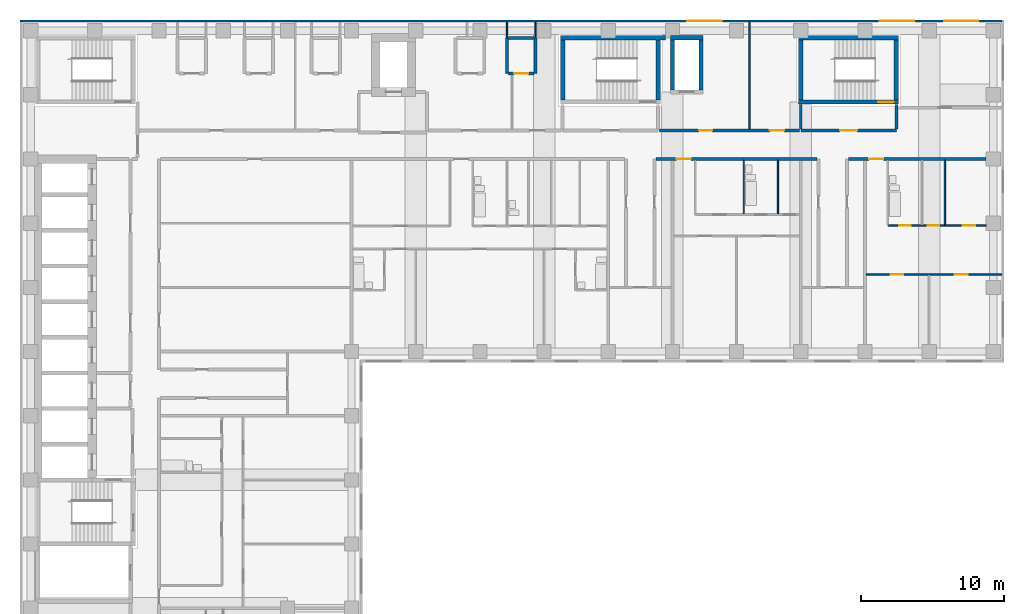
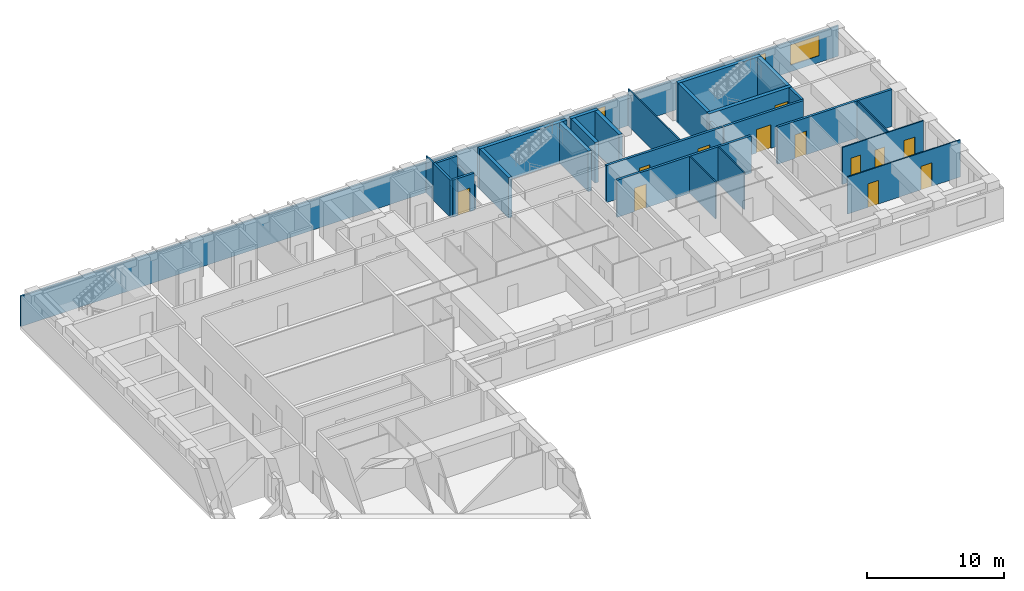
# One storey, part 8 of 12: 29 walls, 12 doors, 3 windows, 15 openings.
"""IFC4 building model written with IfcOpenShell, lengths in metres."""

from ifc_helpers import new_model, si_unit, direction, frame, frame_2d, origin, place, context, subcontext, project, spatial, rectangle, extrude, material, layer, layer_set, type_object, element, fill, save


model = new_model("IFC4")

# Units and contexts
model_context = context("Model", 3, precision=1e-05, world=origin(), true_north=direction((0.0, 1.0)))
body_context = subcontext(model_context, "Body", "Model", "MODEL_VIEW")
ifc_project = project(units=[si_unit("LENGTHUNIT", "METRE"), si_unit("AREAUNIT", "SQUARE_METRE"), si_unit("VOLUMEUNIT", "CUBIC_METRE"), si_unit("PLANEANGLEUNIT", "RADIAN"), si_unit("MASSUNIT", "GRAM", prefix="KILO")], contexts=[model_context])

# Site, building, storey
site_placement = place(None, origin())
site = spatial("IfcSite", under=ifc_project, at=site_placement, CompositionType="ELEMENT")
building_placement = place(site_placement, origin())
building = spatial("IfcBuilding", under=site, at=building_placement, Name="Firuza Court", CompositionType="ELEMENT")
storey_placement = place(building_placement, frame((0.0, 0.0, 166.39990234375)))
storey = spatial("IfcBuildingStorey", under=building, at=storey_placement, Name="L42", CompositionType="ELEMENT", Elevation=166.39990234375)

# Walls
ifc_material_1 = material(Name="Moisture-resistant gypsum board partition")
ifc_layer_1 = layer(ifc_material_1, 0.10009765625)
ifc_layer_set_1 = layer_set([ifc_layer_1], Name="Moisture-resistant gypsum board partition")
wall_type_1 = type_object("IfcWallType", Name="Bathroom partition 100", PredefinedType="PLUMBINGWALL", material=ifc_layer_set_1)
for number, where, z_axis, x_axis, name in (
    (1, (50.0, 45.64990234375, 0.0), (0.0, 0.0, 1.0), (0.0, 1.0, 0.0), "Bathroom partition 100 L42"),
    (2, (52.39990234375, 45.64990234375, 0.0), (0.0, 0.0, 1.0), (0.0, 1.0, 0.0), "Bathroom partition 100 L42"),
):
    element("IfcWall", number, at=place(storey_placement, frame(where, z_axis=z_axis, x_axis=x_axis)), inside=storey, type_object=wall_type_1, Name=name, PredefinedType="PLUMBINGWALL", context=body_context, shape_type="SweptSolid", body=[
        extrude(rectangle(XDim=3.75, YDim=0.10009765625, at=frame_2d((1.875, 0.0))), origin(), (0.0, 0.0, 1.0), 3.300048828125),
    ])
ifc_material_2 = material(Name="Concrete C60/75", Category="concrete")
ifc_layer_2 = layer(ifc_material_2, 0.300048828125)
ifc_layer_set_2 = layer_set([ifc_layer_2], Name="Concrete C60/75")
wall_type_2 = type_object("IfcWallType", Name="Core wall 300 C60/75", PredefinedType="SHEAR", material=ifc_layer_set_2)
wall_1_placement = place(storey_placement, frame((37.14990234375, 58.0, -0.2998046875), z_axis=(0.0, 0.0, 1.0), x_axis=(1.0, 0.0, 0.0)))
element("IfcWall", 3, at=wall_1_placement, inside=storey, type_object=wall_type_2, Name="Core wall stair L42", PredefinedType="SHEAR", context=body_context, shape_type="SweptSolid", body=[
    extrude(rectangle(XDim=7.35009765625, YDim=0.300048828125, at=frame_2d((3.675048828125, 0.0))), origin(), (0.0, 0.0, 1.0), 3.599853515625),
])
for number, where, z_axis, x_axis, name in (
    (4, (37.300048828125, 53.64990234375, -0.2998046875), (0.0, 0.0, 1.0), (0.0, 1.0, 0.0), "Core wall stair L42"),
    (5, (44.0, 53.64990234375, -0.2998046875), (0.0, 0.0, 1.0), (0.0, 1.0, 0.0), "Core wall stair L42"),
):
    element("IfcWall", number, at=place(storey_placement, frame(where, z_axis=z_axis, x_axis=x_axis)), inside=storey, type_object=wall_type_2, Name=name, PredefinedType="SHEAR", context=body_context, shape_type="SweptSolid", body=[
        extrude(rectangle(XDim=4.2001953125, YDim=0.300048828125, at=frame_2d((2.10009765625, 0.0))), origin(), (0.0, 0.0, 1.0), 3.599853515625),
    ])
wall_2_placement = place(storey_placement, frame((44.85009765625, 58.0, -0.2998046875), z_axis=(0.0, 0.0, 1.0), x_axis=(1.0, 0.0, 0.0)))
element("IfcWall", 6, at=wall_2_placement, inside=storey, type_object=wall_type_2, Name="Core wall riser L42", PredefinedType="SHEAR", context=body_context, shape_type="SweptSolid", body=[
    extrude(rectangle(XDim=2.2998046875, YDim=0.300048828125, at=frame_2d((1.14990234375, 0.0))), origin(), (0.0, 0.0, 1.0), 3.599853515625),
])
for number, where, z_axis, x_axis, name in (
    (7, (45.0, 54.35009765625, -0.2998046875), (0.0, 0.0, 1.0), (0.0, 1.0, 0.0), "Core wall riser L42"),
    (8, (47.0, 54.35009765625, -0.2998046875), (0.0, 0.0, 1.0), (0.0, 1.0, 0.0), "Core wall riser L42"),
):
    element("IfcWall", number, at=place(storey_placement, frame(where, z_axis=z_axis, x_axis=x_axis)), inside=storey, type_object=wall_type_2, Name=name, PredefinedType="SHEAR", context=body_context, shape_type="SweptSolid", body=[
        extrude(rectangle(XDim=3.5, YDim=0.300048828125, at=frame_2d((1.75, 0.0))), origin(), (0.0, 0.0, 1.0), 3.599853515625),
    ])

# Wall, opening, door
wall_3_placement = place(storey_placement, frame((53.85009765625, 53.5, -0.2998046875), z_axis=(0.0, 0.0, 1.0), x_axis=(1.0, 0.0, 0.0)))
wall_3 = element("IfcWall", 9, at=wall_3_placement, inside=storey, type_object=wall_type_2, Name="Core wall stair L42", PredefinedType="SHEAR", context=body_context, shape_type="SweptSolid", body=[
    extrude(rectangle(XDim=7.0, YDim=0.300048828125, at=frame_2d((3.5, 0.0))), origin(), (0.0, 0.0, 1.0), 3.599853515625),
])
opening_1_placement = place(wall_3_placement, frame((5.580078125, 0.0, 0.300048828125)))
opening_1 = element("IfcOpeningElement", 10, at=opening_1_placement, cuts=wall_3, Name="Opening D42016", PredefinedType="OPENING", context=body_context, shape_type="SweptSolid", body=[
    extrude(rectangle(XDim=1.10009765625, YDim=2.10009765625, at=frame_2d((0.550048828125, 1.050048828125))), frame((0.0, 0.162109375, 0.0), z_axis=(0.0, -1.0, 0.0), x_axis=(1.0, 0.0, 0.0)), (0.0, 0.0, 1.0), 0.323974609375),
])
ifc_material_3 = material(Name="Timber door leaf in hardwood frame", Category="wood")
door_type_1 = type_object("IfcDoorType", Name="Stair door 1100", OperationType="SINGLE_SWING_LEFT", PredefinedType="DOOR", material=ifc_material_3)
door_1_placement = place(opening_1_placement, origin())
door_1 = element("IfcDoor", 11, at=door_1_placement, inside=storey, type_object=door_type_1, Name="Stair door S4", OperationType="SINGLE_SWING_RIGHT", OverallHeight=2.10009765625, OverallWidth=1.10009765625, PredefinedType="DOOR", context=body_context, shape_type="SweptSolid", body=[
    extrude(rectangle(XDim=1.10009765625, YDim=2.10009765625, at=frame_2d((0.550048828125, 1.050048828125))), frame((0.0, 0.02490234375, 0.0), z_axis=(0.0, -1.0, 0.0), x_axis=(1.0, 0.0, 0.0)), (0.0, 0.0, 1.0), 0.050048828125),
])
fill(opening_1, door_1)

# Walls
wall_4_placement = place(storey_placement, frame((53.85009765625, 58.0, -0.2998046875), z_axis=(0.0, 0.0, 1.0), x_axis=(1.0, 0.0, 0.0)))
element("IfcWall", 12, at=wall_4_placement, inside=storey, type_object=wall_type_2, Name="Core wall stair L42", PredefinedType="SHEAR", context=body_context, shape_type="SweptSolid", body=[
    extrude(rectangle(XDim=7.0, YDim=0.300048828125, at=frame_2d((3.5, 0.0))), origin(), (0.0, 0.0, 1.0), 3.599853515625),
])
for number, where, z_axis, x_axis, name in (
    (13, (54.0, 53.64990234375, -0.2998046875), (0.0, 0.0, 1.0), (0.0, 1.0, 0.0), "Core wall stair L42"),
    (14, (60.699951171875, 53.64990234375, -0.2998046875), (0.0, 0.0, 1.0), (0.0, 1.0, 0.0), "Core wall stair L42"),
):
    element("IfcWall", number, at=place(storey_placement, frame(where, z_axis=z_axis, x_axis=x_axis)), inside=storey, type_object=wall_type_2, Name=name, PredefinedType="SHEAR", context=body_context, shape_type="SweptSolid", body=[
        extrude(rectangle(XDim=4.2001953125, YDim=0.300048828125, at=frame_2d((2.10009765625, 0.0))), origin(), (0.0, 0.0, 1.0), 3.599853515625),
    ])

# Wall, opening, door
ifc_material_4 = material(Name="Blockwork, plastered both sides", Category="masonry")
ifc_layer_3 = layer(ifc_material_4, 0.199951171875)
ifc_layer_set_3 = layer_set([ifc_layer_3], Name="Blockwork, plastered both sides")
wall_type_3 = type_object("IfcWallType", Name="Corridor wall 200", PredefinedType="PARTITIONING", material=ifc_layer_set_3)
wall_5_placement = place(storey_placement, frame((43.85009765625, 49.5, 0.0), z_axis=(0.0, 0.0, 1.0), x_axis=(1.0, 0.0, 0.0)))
wall_5 = element("IfcWall", 15, at=wall_5_placement, inside=storey, type_object=wall_type_3, Name="Corridor wall 200 L42", PredefinedType="PARTITIONING", context=body_context, shape_type="SweptSolid", body=[
    extrude(rectangle(XDim=11.2998046875, YDim=0.199951171875, at=frame_2d((5.64990234375, 0.0))), origin(), (0.0, 0.0, 1.0), 3.300048828125),
])
opening_2_placement = place(wall_5_placement, frame((1.449951171875, 0.0, 0.0)))
opening_2 = element("IfcOpeningElement", 16, at=opening_2_placement, cuts=wall_5, Name="Opening D42069", PredefinedType="OPENING", context=body_context, shape_type="SweptSolid", body=[
    extrude(rectangle(XDim=1.0, YDim=2.10009765625, at=frame_2d((0.5, 1.050048828125))), frame((0.0, 0.11181640625, 0.0), z_axis=(0.0, -1.0, 0.0), x_axis=(1.0, 0.0, 0.0)), (0.0, 0.0, 1.0), 0.223876953125),
])
ifc_material_5 = material(Name="Timber door leaf in hardwood frame", Category="wood")
door_type_2 = type_object("IfcDoorType", Name="Flat entrance door 1000", OperationType="SINGLE_SWING_LEFT", PredefinedType="DOOR", material=ifc_material_5)
door_2_placement = place(opening_2_placement, origin())
door_2 = element("IfcDoor", 17, at=door_2_placement, inside=storey, type_object=door_type_2, Name="Flat entrance door", OperationType="SINGLE_SWING_LEFT", OverallHeight=2.10009765625, OverallWidth=1.0, PredefinedType="DOOR", context=body_context, shape_type="SweptSolid", body=[
    extrude(rectangle(XDim=1.0, YDim=2.10009765625, at=frame_2d((0.5, 1.050048828125))), frame((0.0, 0.02490234375, 0.0), z_axis=(0.0, -1.0, 0.0), x_axis=(1.0, 0.0, 0.0)), (0.0, 0.0, 1.0), 0.050048828125),
])
fill(opening_2, door_2)

wall_6_placement = place(storey_placement, frame((57.35009765625, 49.5, 0.0), z_axis=(0.0, 0.0, 1.0), x_axis=(1.0, 0.0, 0.0)))
wall_6 = element("IfcWall", 18, at=wall_6_placement, inside=storey, type_object=wall_type_3, Name="Corridor wall 200 L42", PredefinedType="PARTITIONING", context=body_context, shape_type="SweptSolid", body=[
    extrude(rectangle(XDim=9.64990234375, YDim=0.199951171875, at=frame_2d((4.824951171875, 0.0))), origin(), (0.0, 0.0, 1.0), 3.300048828125),
])
opening_3_placement = place(wall_6_placement, frame((1.449951171875, 0.0, 0.0)))
opening_3 = element("IfcOpeningElement", 19, at=opening_3_placement, cuts=wall_6, Name="Opening D42070", PredefinedType="OPENING", context=body_context, shape_type="SweptSolid", body=[
    extrude(rectangle(XDim=1.0, YDim=2.10009765625, at=frame_2d((0.5, 1.050048828125))), frame((0.0, 0.11181640625, 0.0), z_axis=(0.0, -1.0, 0.0), x_axis=(1.0, 0.0, 0.0)), (0.0, 0.0, 1.0), 0.223876953125),
])
door_3_placement = place(opening_3_placement, origin())
door_3 = element("IfcDoor", 20, at=door_3_placement, inside=storey, type_object=door_type_2, Name="Flat entrance door", OperationType="SINGLE_SWING_LEFT", OverallHeight=2.10009765625, OverallWidth=1.0, PredefinedType="DOOR", context=body_context, shape_type="SweptSolid", body=[
    extrude(rectangle(XDim=1.0, YDim=2.10009765625, at=frame_2d((0.5, 1.050048828125))), frame((0.0, 0.02490234375, 0.0), z_axis=(0.0, -1.0, 0.0), x_axis=(1.0, 0.0, 0.0)), (0.0, 0.0, 1.0), 0.050048828125),
])
fill(opening_3, door_3)

# Wall, openings, doors
wall_7_placement = place(storey_placement, frame((44.10009765625, 51.5, 0.0), z_axis=(0.0, 0.0, 1.0), x_axis=(1.0, 0.0, 0.0)))
wall_7 = element("IfcWall", 21, at=wall_7_placement, inside=storey, type_object=wall_type_3, Name="Corridor wall 200 L42", PredefinedType="PARTITIONING", context=body_context, shape_type="SweptSolid", body=[
    extrude(rectangle(XDim=9.7998046875, YDim=0.199951171875, at=frame_2d((4.89990234375, 0.0))), origin(), (0.0, 0.0, 1.0), 3.300048828125),
])
opening_4_placement = place(wall_7_placement, frame((2.77490234375, 0.0, 0.0)))
opening_4 = element("IfcOpeningElement", 22, at=opening_4_placement, cuts=wall_7, Name="Opening D42075", PredefinedType="OPENING", context=body_context, shape_type="SweptSolid", body=[
    extrude(rectangle(XDim=0.89990234375, YDim=2.10009765625, at=frame_2d((0.449951171875, 1.050048828125))), frame((0.0, 0.11181640625, 0.0), z_axis=(0.0, -1.0, 0.0), x_axis=(1.0, 0.0, 0.0)), (0.0, 0.0, 1.0), 0.223876953125),
])
opening_5_placement = place(wall_7_placement, frame((7.72509765625, 0.0, 0.0)))
opening_5 = element("IfcOpeningElement", 23, at=opening_5_placement, cuts=wall_7, Name="Opening D42076", PredefinedType="OPENING", context=body_context, shape_type="SweptSolid", body=[
    extrude(rectangle(XDim=1.0, YDim=2.10009765625, at=frame_2d((0.5, 1.050048828125))), frame((0.0, 0.11181640625, 0.0), z_axis=(0.0, -1.0, 0.0), x_axis=(1.0, 0.0, 0.0)), (0.0, 0.0, 1.0), 0.223876953125),
])
ifc_material_6 = material(Name="Timber door leaf in hardwood frame", Category="wood")
door_type_3 = type_object("IfcDoorType", Name="Room door 900 EI 30", OperationType="SINGLE_SWING_LEFT", PredefinedType="DOOR", material=ifc_material_6)
door_4_placement = place(opening_4_placement, origin())
door_4 = element("IfcDoor", 24, at=door_4_placement, inside=storey, type_object=door_type_3, Name="Meeting room door", OperationType="SINGLE_SWING_LEFT", OverallHeight=2.10009765625, OverallWidth=0.89990234375, PredefinedType="DOOR", context=body_context, shape_type="SweptSolid", body=[
    extrude(rectangle(XDim=0.89990234375, YDim=2.10009765625, at=frame_2d((0.449951171875, 1.050048828125))), frame((0.0, 0.02490234375, 0.0), z_axis=(0.0, -1.0, 0.0), x_axis=(1.0, 0.0, 0.0)), (0.0, 0.0, 1.0), 0.050048828125),
])
fill(opening_4, door_4)
ifc_material_7 = material(Name="Timber door leaf in hardwood frame", Category="wood")
door_type_4 = type_object("IfcDoorType", Name="Store door 1000", OperationType="SINGLE_SWING_LEFT", PredefinedType="DOOR", material=ifc_material_7)
door_5_placement = place(opening_5_placement, origin())
door_5 = element("IfcDoor", 25, at=door_5_placement, inside=storey, type_object=door_type_4, Name="Cleaner's store door", OperationType="SINGLE_SWING_LEFT", OverallHeight=2.10009765625, OverallWidth=1.0, PredefinedType="DOOR", context=body_context, shape_type="SweptSolid", body=[
    extrude(rectangle(XDim=1.0, YDim=2.10009765625, at=frame_2d((0.5, 1.050048828125))), frame((0.0, 0.02490234375, 0.0), z_axis=(0.0, -1.0, 0.0), x_axis=(1.0, 0.0, 0.0)), (0.0, 0.0, 1.0), 0.050048828125),
])
fill(opening_5, door_5)

ifc_material_8 = material(Name="Timber stud partition, plasterboard both sides", Category="wood")
ifc_layer_4 = layer(ifc_material_8, 0.10009765625)
ifc_layer_set_4 = layer_set([ifc_layer_4], Name="Timber stud partition, plasterboard both sides")
wall_type_4 = type_object("IfcWallType", Name="Partition wall 100", PredefinedType="PARTITIONING", material=ifc_layer_set_4)
wall_8_placement = place(storey_placement, frame((58.60009765625, 41.39990234375, 0.0), z_axis=(0.0, 0.0, 1.0), x_axis=(1.0, 0.0, 0.0)))
wall_8 = element("IfcWall", 26, at=wall_8_placement, inside=storey, type_object=wall_type_4, Name="Partition wall 100 L42", PredefinedType="PARTITIONING", context=body_context, shape_type="SweptSolid", body=[
    extrude(rectangle(XDim=9.5, YDim=0.10009765625, at=frame_2d((4.75, 0.0))), origin(), (0.0, 0.0, 1.0), 3.300048828125),
])
opening_6_placement = place(wall_8_placement, frame((1.699951171875, 0.0, 0.0)))
opening_6 = element("IfcOpeningElement", 27, at=opening_6_placement, cuts=wall_8, Name="Opening D42048", PredefinedType="OPENING", context=body_context, shape_type="SweptSolid", body=[
    extrude(rectangle(XDim=0.89990234375, YDim=2.10009765625, at=frame_2d((0.449951171875, 1.050048828125))), frame((0.0, 0.06201171875, 0.0), z_axis=(0.0, -1.0, 0.0), x_axis=(1.0, 0.0, 0.0)), (0.0, 0.0, 1.0), 0.1240234375),
])
opening_7_placement = place(wall_8_placement, frame((6.199951171875, 0.0, 0.0)))
opening_7 = element("IfcOpeningElement", 28, at=opening_7_placement, cuts=wall_8, Name="Opening D42049", PredefinedType="OPENING", context=body_context, shape_type="SweptSolid", body=[
    extrude(rectangle(XDim=0.89990234375, YDim=2.10009765625, at=frame_2d((0.449951171875, 1.050048828125))), frame((0.0, 0.06201171875, 0.0), z_axis=(0.0, -1.0, 0.0), x_axis=(1.0, 0.0, 0.0)), (0.0, 0.0, 1.0), 0.1240234375),
])
ifc_material_9 = material(Name="Timber door leaf in hardwood frame", Category="wood")
door_type_5 = type_object("IfcDoorType", Name="Room door 900", OperationType="SINGLE_SWING_LEFT", PredefinedType="DOOR", material=ifc_material_9)
door_6_placement = place(opening_6_placement, frame((0.89990234375, 0.0, 0.0), z_axis=(0.0, 0.0, 1.0), x_axis=(-1.0, 0.0, 0.0)))
door_6 = element("IfcDoor", 29, at=door_6_placement, inside=storey, type_object=door_type_5, Name="Living room door", OperationType="SINGLE_SWING_RIGHT", OverallHeight=2.10009765625, OverallWidth=0.89990234375, PredefinedType="DOOR", context=body_context, shape_type="SweptSolid", body=[
    extrude(rectangle(XDim=0.89990234375, YDim=2.10009765625, at=frame_2d((0.449951171875, 1.050048828125))), frame((0.0, 0.02490234375, 0.0), z_axis=(0.0, -1.0, 0.0), x_axis=(1.0, 0.0, 0.0)), (0.0, 0.0, 1.0), 0.050048828125),
])
fill(opening_6, door_6)
door_7_placement = place(opening_7_placement, frame((0.89990234375, 0.0, 0.0), z_axis=(0.0, 0.0, 1.0), x_axis=(-1.0, 0.0, 0.0)))
door_7 = element("IfcDoor", 30, at=door_7_placement, inside=storey, type_object=door_type_5, Name="Bedroom door", OperationType="SINGLE_SWING_RIGHT", OverallHeight=2.10009765625, OverallWidth=0.89990234375, PredefinedType="DOOR", context=body_context, shape_type="SweptSolid", body=[
    extrude(rectangle(XDim=0.89990234375, YDim=2.10009765625, at=frame_2d((0.449951171875, 1.050048828125))), frame((0.0, 0.02490234375, 0.0), z_axis=(0.0, -1.0, 0.0), x_axis=(1.0, 0.0, 0.0)), (0.0, 0.0, 1.0), 0.050048828125),
])
fill(opening_7, door_7)

wall_9_placement = place(storey_placement, frame((60.14990234375, 44.85009765625, 0.0), z_axis=(0.0, 0.0, 1.0), x_axis=(1.0, 0.0, 0.0)))
wall_9 = element("IfcWall", 31, at=wall_9_placement, inside=storey, type_object=wall_type_4, Name="Partition wall 100 L42", PredefinedType="PARTITIONING", context=body_context, shape_type="SweptSolid", body=[
    extrude(rectangle(XDim=6.85009765625, YDim=0.10009765625, at=frame_2d((3.425048828125, 0.0))), origin(), (0.0, 0.0, 1.0), 3.300048828125),
])
opening_8_placement = place(wall_9_placement, frame((0.75, 0.0, 0.0)))
opening_8 = element("IfcOpeningElement", 32, at=opening_8_placement, cuts=wall_9, Name="Opening D42061", PredefinedType="OPENING", context=body_context, shape_type="SweptSolid", body=[
    extrude(rectangle(XDim=0.800048828125, YDim=2.10009765625, at=frame_2d((0.39990234375, 1.050048828125))), frame((0.0, 0.06201171875, 0.0), z_axis=(0.0, -1.0, 0.0), x_axis=(1.0, 0.0, 0.0)), (0.0, 0.0, 1.0), 0.1240234375),
])
opening_9_placement = place(wall_9_placement, frame((5.199951171875, 0.0, 0.0)))
opening_9 = element("IfcOpeningElement", 33, at=opening_9_placement, cuts=wall_9, Name="Opening D42062", PredefinedType="OPENING", context=body_context, shape_type="SweptSolid", body=[
    extrude(rectangle(XDim=0.89990234375, YDim=2.10009765625, at=frame_2d((0.449951171875, 1.050048828125))), frame((0.0, 0.06201171875, 0.0), z_axis=(0.0, -1.0, 0.0), x_axis=(1.0, 0.0, 0.0)), (0.0, 0.0, 1.0), 0.1240234375),
])
opening_10_placement = place(wall_9_placement, frame((2.75, 0.0, 0.0)))
opening_10 = element("IfcOpeningElement", 34, at=opening_10_placement, cuts=wall_9, Name="Opening D42063", PredefinedType="OPENING", context=body_context, shape_type="SweptSolid", body=[
    extrude(rectangle(XDim=0.800048828125, YDim=2.10009765625, at=frame_2d((0.39990234375, 1.050048828125))), frame((0.0, 0.06201171875, 0.0), z_axis=(0.0, -1.0, 0.0), x_axis=(1.0, 0.0, 0.0)), (0.0, 0.0, 1.0), 0.1240234375),
])
ifc_material_10 = material(Name="Timber door leaf in hardwood frame", Category="wood")
door_type_6 = type_object("IfcDoorType", Name="Bathroom door 800", OperationType="SINGLE_SWING_LEFT", PredefinedType="DOOR", material=ifc_material_10)
door_8_placement = place(opening_8_placement, origin())
door_8 = element("IfcDoor", 35, at=door_8_placement, inside=storey, type_object=door_type_6, Name="Bathroom door", OperationType="SINGLE_SWING_LEFT", OverallHeight=2.10009765625, OverallWidth=0.800048828125, PredefinedType="DOOR", context=body_context, shape_type="SweptSolid", body=[
    extrude(rectangle(XDim=0.800048828125, YDim=2.10009765625, at=frame_2d((0.39990234375, 1.050048828125))), frame((0.0, 0.02490234375, 0.0), z_axis=(0.0, -1.0, 0.0), x_axis=(1.0, 0.0, 0.0)), (0.0, 0.0, 1.0), 0.050048828125),
])
fill(opening_8, door_8)
ifc_material_11 = material(Name="Timber door leaf in hardwood frame", Category="wood")
door_type_7 = type_object("IfcDoorType", Name="Room door 800", OperationType="SINGLE_SWING_LEFT", PredefinedType="DOOR", material=ifc_material_11)
door_9_placement = place(opening_10_placement, origin())
door_9 = element("IfcDoor", 36, at=door_9_placement, inside=storey, type_object=door_type_7, Name="Store door", OperationType="SINGLE_SWING_LEFT", OverallHeight=2.10009765625, OverallWidth=0.800048828125, PredefinedType="DOOR", context=body_context, shape_type="SweptSolid", body=[
    extrude(rectangle(XDim=0.800048828125, YDim=2.10009765625, at=frame_2d((0.39990234375, 1.050048828125))), frame((0.0, 0.02490234375, 0.0), z_axis=(0.0, -1.0, 0.0), x_axis=(1.0, 0.0, 0.0)), (0.0, 0.0, 1.0), 0.050048828125),
])
fill(opening_10, door_9)
door_10_placement = place(opening_9_placement, origin())
door_10 = element("IfcDoor", 37, at=door_10_placement, inside=storey, type_object=door_type_5, Name="Kitchen door", OperationType="SINGLE_SWING_RIGHT", OverallHeight=2.10009765625, OverallWidth=0.89990234375, PredefinedType="DOOR", context=body_context, shape_type="SweptSolid", body=[
    extrude(rectangle(XDim=0.89990234375, YDim=2.10009765625, at=frame_2d((0.449951171875, 1.050048828125))), frame((0.0, 0.02490234375, 0.0), z_axis=(0.0, -1.0, 0.0), x_axis=(1.0, 0.0, 0.0)), (0.0, 0.0, 1.0), 0.050048828125),
])
fill(opening_9, door_10)

# Walls
wall_10_placement = place(storey_placement, frame((64.10009765625, 44.89990234375, 0.0), z_axis=(0.0, 0.0, 1.0), x_axis=(0.0, 1.0, 0.0)))
element("IfcWall", 38, at=wall_10_placement, inside=storey, type_object=wall_type_4, Name="Partition wall 100 L42", PredefinedType="PARTITIONING", context=body_context, shape_type="SweptSolid", body=[
    extrude(rectangle(XDim=4.5, YDim=0.10009765625, at=frame_2d((2.25, 0.0))), origin(), (0.0, 0.0, 1.0), 3.300048828125),
])
wall_11_placement = place(storey_placement, frame((50.39990234375, 51.60009765625, 0.0), z_axis=(0.0, 0.0, 1.0), x_axis=(0.0, 1.0, 0.0)))
element("IfcWall", 39, at=wall_11_placement, inside=storey, type_object=wall_type_4, Name="Partition wall 100 L42", PredefinedType="PARTITIONING", context=body_context, shape_type="SweptSolid", body=[
    extrude(rectangle(XDim=7.5, YDim=0.10009765625, at=frame_2d((3.75, 0.0))), origin(), (0.0, 0.0, 1.0), 3.300048828125),
])
wall_12_placement = place(storey_placement, frame((33.39990234375, 58.0, 0.0), z_axis=(0.0, 0.0, 1.0), x_axis=(0.0, 1.0, 0.0)))
element("IfcWall", 40, at=wall_12_placement, inside=storey, type_object=wall_type_4, Name="Partition wall 100 L42", PredefinedType="PARTITIONING", context=body_context, shape_type="SweptSolid", body=[
    extrude(rectangle(XDim=1.10009765625, YDim=0.10009765625, at=frame_2d((0.550048828125, 0.0))), origin(), (0.0, 0.0, 1.0), 3.300048828125),
])
wall_13_placement = place(storey_placement, frame((35.39990234375, 58.0, 0.0), z_axis=(0.0, 0.0, 1.0), x_axis=(0.0, 1.0, 0.0)))
element("IfcWall", 41, at=wall_13_placement, inside=storey, type_object=wall_type_4, Name="Partition wall 100 L42", PredefinedType="PARTITIONING", context=body_context, shape_type="SweptSolid", body=[
    extrude(rectangle(XDim=1.10009765625, YDim=0.10009765625, at=frame_2d((0.550048828125, 0.0))), origin(), (0.0, 0.0, 1.0), 2.400146484375),
])
ifc_material_12 = material(Name="Blockwork, fire-rated", Category="masonry")
ifc_layer_5 = layer(ifc_material_12, 0.199951171875)
ifc_layer_set_5 = layer_set([ifc_layer_5], Name="Blockwork, fire-rated")
wall_type_5 = type_object("IfcWallType", Name="Plant room wall 200", PredefinedType="PARTITIONING", material=ifc_layer_set_5)
wall_14_placement = place(storey_placement, frame((33.39990234375, 55.5, 0.0), z_axis=(0.0, 0.0, 1.0), x_axis=(0.0, 1.0, 0.0)))
element("IfcWall", 42, at=wall_14_placement, inside=storey, type_object=wall_type_5, Name="Plant room wall 200 L42", PredefinedType="PARTITIONING", context=body_context, shape_type="SweptSolid", body=[
    extrude(rectangle(XDim=2.5, YDim=0.199951171875, at=frame_2d((1.25, 0.0))), origin(), (0.0, 0.0, 1.0), 3.300048828125),
])

# Wall, opening, door
wall_15_placement = place(storey_placement, frame((33.5, 55.5, 0.0), z_axis=(0.0, 0.0, 1.0), x_axis=(1.0, 0.0, 0.0)))
wall_15 = element("IfcWall", 43, at=wall_15_placement, inside=storey, type_object=wall_type_5, Name="Plant room wall 200 L42", PredefinedType="PARTITIONING", context=body_context, shape_type="SweptSolid", body=[
    extrude(rectangle(XDim=1.800048828125, YDim=0.199951171875, at=frame_2d((0.89990234375, 0.0))), origin(), (0.0, 0.0, 1.0), 3.300048828125),
])
opening_11_placement = place(wall_15_placement, frame((0.39990234375, 0.0, 0.0)))
opening_11 = element("IfcOpeningElement", 44, at=opening_11_placement, cuts=wall_15, Name="Opening D42082", PredefinedType="OPENING", context=body_context, shape_type="SweptSolid", body=[
    extrude(rectangle(XDim=1.0, YDim=2.10009765625, at=frame_2d((0.5, 1.050048828125))), frame((0.0, 0.11181640625, 0.0), z_axis=(0.0, -1.0, 0.0), x_axis=(1.0, 0.0, 0.0)), (0.0, 0.0, 1.0), 0.223876953125),
])
ifc_material_13 = material(Name="Timber door leaf in hardwood frame", Category="wood")
door_type_8 = type_object("IfcDoorType", Name="Riser door 1000", OperationType="SINGLE_SWING_LEFT", PredefinedType="DOOR", material=ifc_material_13)
door_11_placement = place(opening_11_placement, origin())
door_11 = element("IfcDoor", 45, at=door_11_placement, inside=storey, type_object=door_type_8, Name="Duct riser door", OperationType="SINGLE_SWING_LEFT", OverallHeight=2.10009765625, OverallWidth=1.0, PredefinedType="DOOR", context=body_context, shape_type="SweptSolid", body=[
    extrude(rectangle(XDim=1.0, YDim=2.10009765625, at=frame_2d((0.5, 1.050048828125))), frame((0.0, 0.02490234375, 0.0), z_axis=(0.0, -1.0, 0.0), x_axis=(1.0, 0.0, 0.0)), (0.0, 0.0, 1.0), 0.050048828125),
])
fill(opening_11, door_11)

# Walls
wall_16_placement = place(storey_placement, frame((35.39990234375, 55.5, 0.0), z_axis=(0.0, 0.0, 1.0), x_axis=(0.0, 1.0, 0.0)))
element("IfcWall", 46, at=wall_16_placement, inside=storey, type_object=wall_type_5, Name="Plant room wall 200 L42", PredefinedType="PARTITIONING", context=body_context, shape_type="SweptSolid", body=[
    extrude(rectangle(XDim=2.5, YDim=0.199951171875, at=frame_2d((1.25, 0.0))), origin(), (0.0, 0.0, 1.0), 2.400146484375),
])
wall_17_placement = place(storey_placement, frame((33.5, 58.0, 0.0), z_axis=(0.0, 0.0, 1.0), x_axis=(1.0, 0.0, 0.0)))
element("IfcWall", 47, at=wall_17_placement, inside=storey, type_object=wall_type_5, Name="Plant room wall 200 L42", PredefinedType="PARTITIONING", context=body_context, shape_type="SweptSolid", body=[
    extrude(rectangle(XDim=1.800048828125, YDim=0.199951171875, at=frame_2d((0.89990234375, 0.0))), origin(), (0.0, 0.0, 1.0), 3.300048828125),
])

# Wall, openings, windows
ifc_material_14 = material(Name="Ceramic tile", Category="ceramic")
ifc_layer_6 = layer(ifc_material_14, 0.02001953125)
ifc_material_15 = material(Name="Mineral wool insulation", Category="insulation")
ifc_layer_7 = layer(ifc_material_15, 0.050048828125)
ifc_material_16 = material(Name="Concrete C40/50 precast", Category="concrete")
ifc_layer_8 = layer(ifc_material_16, 0.080078125)
ifc_layer_set_6 = layer_set([ifc_layer_6, ifc_layer_7, ifc_layer_8], Name="Concrete C40/50 precast")
wall_type_6 = type_object("IfcWallType", Name="Precast cladding wall with turquoise TILE PANEL face 150", PredefinedType="STANDARD", material=ifc_layer_set_6)
wall_18_placement = place(storey_placement, frame((68.10009765625, 59.175048828125, 0.0), z_axis=(0.0, 0.0, 1.0), x_axis=(-1.0, 0.0, 0.0)))
wall_18 = element("IfcWall", 48, at=wall_18_placement, inside=storey, type_object=wall_type_6, Name="Facade wall L42 N", PredefinedType="STANDARD", context=body_context, shape_type="SweptSolid", body=[
    extrude(rectangle(XDim=68.85009765625, YDim=0.14990234375, at=frame_2d((34.425048828125, 0.0))), origin(), (0.0, 0.0, 1.0), 2.7001953125),
])
opening_12_placement = place(wall_18_placement, frame((1.64990234375, 0.0, 0.60009765625)))
opening_12 = element("IfcOpeningElement", 49, at=opening_12_placement, cuts=wall_18, Name="Opening W1", PredefinedType="OPENING", context=body_context, shape_type="SweptSolid", body=[
    extrude(rectangle(XDim=2.39990234375, YDim=1.800048828125, at=frame_2d((1.199951171875, 0.89990234375))), frame((0.0, 0.0869140625, 0.0), z_axis=(0.0, -1.0, 0.0), x_axis=(1.0, 0.0, 0.0)), (0.0, 0.0, 1.0), 0.173828125),
])
opening_13_placement = place(wall_18_placement, frame((6.14990234375, 0.0, 0.60009765625)))
opening_13 = element("IfcOpeningElement", 50, at=opening_13_placement, cuts=wall_18, Name="Opening W1", PredefinedType="OPENING", context=body_context, shape_type="SweptSolid", body=[
    extrude(rectangle(XDim=2.39990234375, YDim=1.800048828125, at=frame_2d((1.199951171875, 0.89990234375))), frame((0.0, 0.0869140625, 0.0), z_axis=(0.0, -1.0, 0.0), x_axis=(1.0, 0.0, 0.0)), (0.0, 0.0, 1.0), 0.173828125),
])
opening_14_placement = place(wall_18_placement, frame((19.64990234375, 0.0, 0.60009765625)))
opening_14 = element("IfcOpeningElement", 51, at=opening_14_placement, cuts=wall_18, Name="Opening W1", PredefinedType="OPENING", context=body_context, shape_type="SweptSolid", body=[
    extrude(rectangle(XDim=2.39990234375, YDim=1.800048828125, at=frame_2d((1.199951171875, 0.89990234375))), frame((0.0, 0.0869140625, 0.0), z_axis=(0.0, -1.0, 0.0), x_axis=(1.0, 0.0, 0.0)), (0.0, 0.0, 1.0), 0.173828125),
])
ifc_material_17 = material(Name="Aluminium frame, triple clear glazing", Category="aluminium")
window_type = type_object("IfcWindowType", Name="Window W1 2400 x 1800", PartitioningType="SINGLE_PANEL", PredefinedType="WINDOW", material=ifc_material_17)
window_1_placement = place(opening_12_placement, origin())
window_1 = element("IfcWindow", 52, at=window_1_placement, inside=storey, type_object=window_type, Name="Window L42", OverallHeight=1.800048828125, OverallWidth=2.39990234375, PartitioningType="SINGLE_PANEL", PredefinedType="WINDOW", context=body_context, shape_type="SweptSolid", body=[
    extrude(rectangle(XDim=2.39990234375, YDim=1.800048828125, at=frame_2d((1.199951171875, 0.89990234375))), frame((0.0, 0.030029296875, 0.0), z_axis=(0.0, -1.0, 0.0), x_axis=(1.0, 0.0, 0.0)), (0.0, 0.0, 1.0), 0.06005859375),
])
fill(opening_12, window_1)
window_2_placement = place(opening_13_placement, origin())
window_2 = element("IfcWindow", 53, at=window_2_placement, inside=storey, type_object=window_type, Name="Window L42", OverallHeight=1.800048828125, OverallWidth=2.39990234375, PartitioningType="SINGLE_PANEL", PredefinedType="WINDOW", context=body_context, shape_type="SweptSolid", body=[
    extrude(rectangle(XDim=2.39990234375, YDim=1.800048828125, at=frame_2d((1.199951171875, 0.89990234375))), frame((0.0, 0.030029296875, 0.0), z_axis=(0.0, -1.0, 0.0), x_axis=(1.0, 0.0, 0.0)), (0.0, 0.0, 1.0), 0.06005859375),
])
fill(opening_13, window_2)
window_3_placement = place(opening_14_placement, origin())
window_3 = element("IfcWindow", 54, at=window_3_placement, inside=storey, type_object=window_type, Name="Window L42", OverallHeight=1.800048828125, OverallWidth=2.39990234375, PartitioningType="SINGLE_PANEL", PredefinedType="WINDOW", context=body_context, shape_type="SweptSolid", body=[
    extrude(rectangle(XDim=2.39990234375, YDim=1.800048828125, at=frame_2d((1.199951171875, 0.89990234375))), frame((0.0, 0.030029296875, 0.0), z_axis=(0.0, -1.0, 0.0), x_axis=(1.0, 0.0, 0.0)), (0.0, 0.0, 1.0), 0.06005859375),
])
fill(opening_14, window_3)

# Wall, opening, door
ifc_layer_9 = layer(ifc_material_12, 0.199951171875)
ifc_layer_set_7 = layer_set([ifc_layer_9], Name="Blockwork, fire-rated")
wall_type_7 = type_object("IfcWallType", Name="Shaft wall 200", PredefinedType="PARTITIONING", material=ifc_layer_set_7)
wall_19_placement = place(storey_placement, frame((54.0, 51.5, 0.0), z_axis=(0.0, 0.0, 1.0), x_axis=(1.0, 0.0, 0.0)))
wall_19 = element("IfcWall", 55, at=wall_19_placement, inside=storey, type_object=wall_type_7, Name="Shaft wall 200 L42", PredefinedType="PARTITIONING", context=body_context, shape_type="SweptSolid", body=[
    extrude(rectangle(XDim=6.699951171875, YDim=0.199951171875, at=frame_2d((3.35009765625, 0.0))), origin(), (0.0, 0.0, 1.0), 3.300048828125),
])
opening_15_placement = place(wall_19_placement, frame((2.75, 0.0, 0.0)))
opening_15 = element("IfcOpeningElement", 56, at=opening_15_placement, cuts=wall_19, Name="Opening D42007", PredefinedType="OPENING", context=body_context, shape_type="SweptSolid", body=[
    extrude(rectangle(XDim=1.199951171875, YDim=2.10009765625, at=frame_2d((0.60009765625, 1.050048828125))), frame((0.0, 0.11181640625, 0.0), z_axis=(0.0, -1.0, 0.0), x_axis=(1.0, 0.0, 0.0)), (0.0, 0.0, 1.0), 0.223876953125),
])
ifc_material_18 = material(Name="Timber door leaf in hardwood frame", Category="wood")
door_type_9 = type_object("IfcDoorType", Name="Lobby door 1200", OperationType="SINGLE_SWING_LEFT", PredefinedType="DOOR", material=ifc_material_18)
door_12_placement = place(opening_15_placement, origin())
door_12 = element("IfcDoor", 57, at=door_12_placement, inside=storey, type_object=door_type_9, Name="Lobby door", OperationType="SINGLE_SWING_LEFT", OverallHeight=2.10009765625, OverallWidth=1.199951171875, PredefinedType="DOOR", context=body_context, shape_type="SweptSolid", body=[
    extrude(rectangle(XDim=1.199951171875, YDim=2.10009765625, at=frame_2d((0.60009765625, 1.050048828125))), frame((0.0, 0.02490234375, 0.0), z_axis=(0.0, -1.0, 0.0), x_axis=(1.0, 0.0, 0.0)), (0.0, 0.0, 1.0), 0.050048828125),
])
fill(opening_15, door_12)

# Walls
wall_20_placement = place(storey_placement, frame((60.699951171875, 51.60009765625, 0.0), z_axis=(0.0, 0.0, 1.0), x_axis=(0.0, 1.0, 0.0)))
element("IfcWall", 58, at=wall_20_placement, inside=storey, type_object=wall_type_7, Name="Shaft wall 200 L42", PredefinedType="PARTITIONING", context=body_context, shape_type="SweptSolid", body=[
    extrude(rectangle(XDim=1.72998046875, YDim=0.199951171875, at=frame_2d((0.864990234375, 0.0))), origin(), (0.0, 0.0, 1.0), 3.300048828125),
])
wall_21_placement = place(storey_placement, frame((54.0, 51.60009765625, 0.0), z_axis=(0.0, 0.0, 1.0), x_axis=(0.0, 1.0, 0.0)))
element("IfcWall", 59, at=wall_21_placement, inside=storey, type_object=wall_type_7, Name="Shaft wall 200 L42", PredefinedType="PARTITIONING", context=body_context, shape_type="SweptSolid", body=[
    extrude(rectangle(XDim=1.72998046875, YDim=0.199951171875, at=frame_2d((0.864990234375, 0.0))), origin(), (0.0, 0.0, 1.0), 2.60009765625),
])

save(model, "model.ifc")
